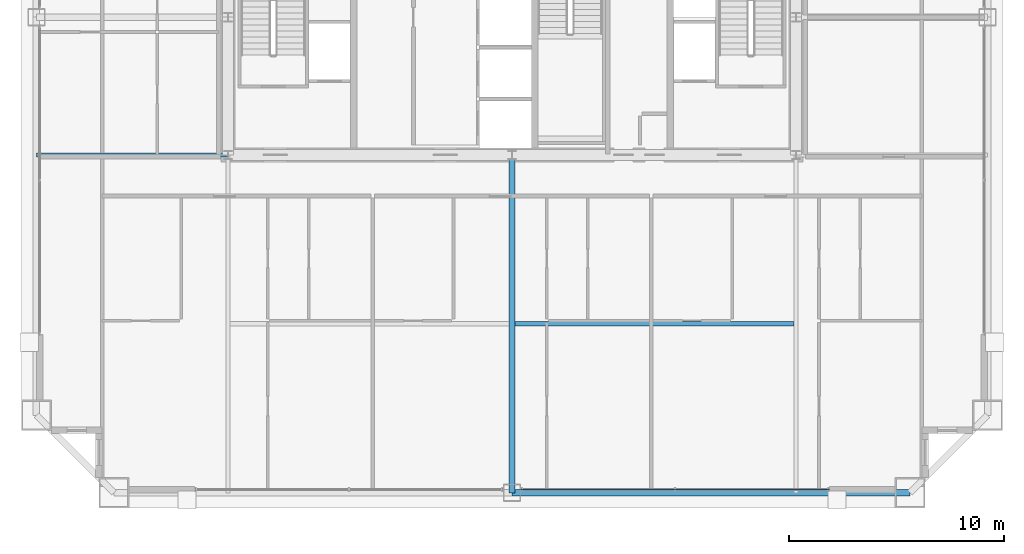
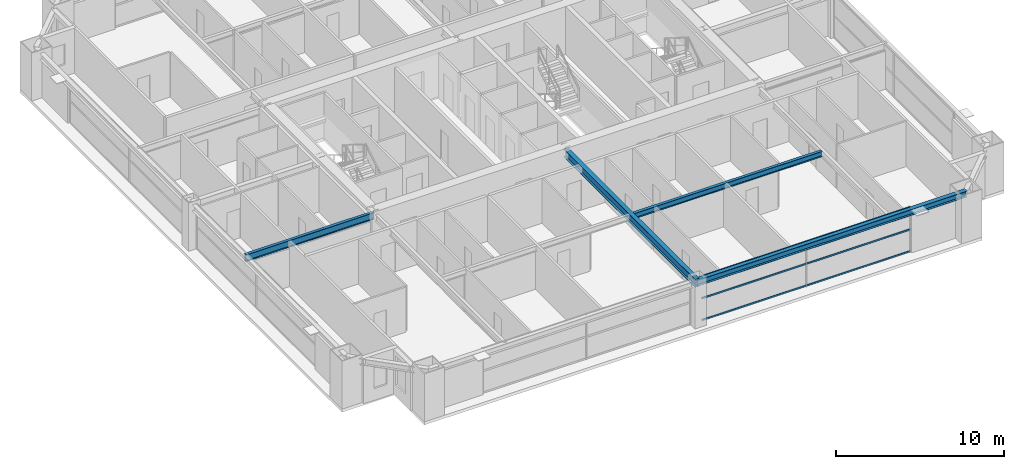
# One storey, part 11 of 38: 4 beams, 3 members, 1 element without a shape of its own.
"""IFC4 building model written with IfcOpenShell, lengths in metres."""

import ifcopenshell
import ifcopenshell.guid

model = None  # the IFC model being written
_history = None  # IfcOwnerHistory: only IFC2X3 demands one
_inside = {}  # id of a spatial element -> (the spatial element, [elements in it])
_under = {}  # id of a project, library or spatial element -> (it, [spatial elements below it])
_declared = {}  # id of a project -> (the project, [libraries it declares])
_typed = {}  # id of a type object -> (the type object, [elements of that type])
_made_of = {}  # id of a material, layer set ... -> (it, [elements and type objects made of it])


def new_model(schema):
    """Start an empty IFC model of exactly this schema.

    Asked for "IFC4X3", IfcOpenShell would pick the latest addendum, in which some entities
    have other attributes; the version numbers below select the first issue.
    IFC2X3 requires an IfcOwnerHistory on every rooted entity: one is made here for all.
    """
    global model, _history
    if schema == "IFC4X3":
        model = ifcopenshell.file(schema_version=(4, 3, 0, 0))
    else:
        model = ifcopenshell.file(schema=schema)
    _inside.clear()
    _under.clear()
    _declared.clear()
    _typed.clear()
    _made_of.clear()
    _history = None
    if model.schema == "IFC2X3":
        org = make("IfcOrganization", Name="unknown")
        user = make(
            "IfcPersonAndOrganization",
            ThePerson=make("IfcPerson", FamilyName="unknown"),
            TheOrganization=org,
        )
        app = make(
            "IfcApplication",
            ApplicationDeveloper=org,
            Version="unknown",
            ApplicationFullName="unknown",
            ApplicationIdentifier="unknown",
        )
        _history = make(
            "IfcOwnerHistory",
            OwningUser=user,
            OwningApplication=app,
            ChangeAction="ADDED",
            CreationDate=0,
        )
    return model


def make(cls, **values):
    """One entity of the class cls with the attributes given. An attribute that is None is left unset."""
    return model.create_entity(
        cls, **{name: value for name, value in values.items() if value is not None}
    )


def rooted(cls, **values):
    """An entity with a GlobalId (a new one), such as an element, a storey or a relation."""
    return make(cls, GlobalId=ifcopenshell.guid.new(), OwnerHistory=_history, **values)


def si_unit(unit_type, name, prefix=None):
    """IfcSIUnit, for example si_unit("LENGTHUNIT", "METRE", prefix="MILLI")."""
    return make("IfcSIUnit", UnitType=unit_type, Prefix=prefix, Name=name)


def assignment(units):
    """IfcUnitAssignment: the units of a project."""
    return None if units is None else make("IfcUnitAssignment", Units=units)


def point(xyz):
    """IfcCartesianPoint."""
    return None if xyz is None else make("IfcCartesianPoint", Coordinates=xyz)


def direction(xyz):
    """IfcDirection."""
    return None if xyz is None else make("IfcDirection", DirectionRatios=xyz)


def frame(location, z_axis=None, x_axis=None):
    """IfcAxis2Placement3D, a coordinate frame: its origin and axes. An axis left out is left unset."""
    return make(
        "IfcAxis2Placement3D",
        Location=point(location),
        Axis=direction(z_axis),
        RefDirection=direction(x_axis),
    )


def frame_2d(location, x_axis=None):
    """IfcAxis2Placement2D, a coordinate frame in the plane: its origin and x axis."""
    return make(
        "IfcAxis2Placement2D", Location=point(location), RefDirection=direction(x_axis)
    )


def origin():
    """The frame at (0, 0, 0) with its axes left unset."""
    return frame((0.0, 0.0, 0.0))


def origin_2d():
    """The frame at (0, 0) in the plane with its x axis left unset."""
    return frame_2d((0.0, 0.0))


def place(relative_to, where):
    """IfcLocalPlacement: puts the frame where relative to a parent placement (None: the world)."""
    return make(
        "IfcLocalPlacement", PlacementRelTo=relative_to, RelativePlacement=where
    )


def context(
    kind, dimensions, precision=None, world=None, true_north=None, identifier=None
):
    """IfcGeometricRepresentationContext, for example the 3D "Model" context."""
    return make(
        "IfcGeometricRepresentationContext",
        ContextIdentifier=identifier,
        ContextType=kind,
        CoordinateSpaceDimension=dimensions,
        Precision=precision,
        WorldCoordinateSystem=world,
        TrueNorth=true_north,
    )


def subcontext(parent, identifier, kind, view, scale=None):
    """IfcGeometricRepresentationSubContext, for example "Body" below "Model"."""
    return make(
        "IfcGeometricRepresentationSubContext",
        ContextIdentifier=identifier,
        ContextType=kind,
        ParentContext=parent,
        TargetScale=scale,
        TargetView=view,
    )


def project(units=None, contexts=None):
    """IfcProject with its units and contexts."""
    return rooted(
        "IfcProject",
        Name="project",
        RepresentationContexts=contexts,
        UnitsInContext=assignment(units),
    )


def spatial(cls, under=None, at=None, **own):
    """A site, building, storey or space (cls), placed at a placement, below another one or the project."""
    s = rooted(cls, ObjectPlacement=at, **own)
    if under is not None:
        _under.setdefault(under.id(), (under, []))[1].append(s)
    return s


def profile(cls, at=None, kind="AREA", **sizes):
    """A parametric profile (cls). Its sizes go by their IFC names, for example OverallWidth=200.0."""
    return make(cls, ProfileType=kind, Position=at, **sizes)


def hollow_rectangle(**sizes):
    """IfcRectangleHollowProfileDef."""
    return profile("IfcRectangleHollowProfileDef", **sizes)


def i_section(**sizes):
    """IfcIShapeProfileDef."""
    return profile("IfcIShapeProfileDef", **sizes)


def extrude(swept, where, along, depth):
    """IfcExtrudedAreaSolid: the profile swept, set in the frame where, extruded along a direction by depth."""
    return make(
        "IfcExtrudedAreaSolid",
        SweptArea=swept,
        Position=where,
        ExtrudedDirection=direction(along),
        Depth=depth,
    )


def shape(context_of_items, identifier, shape_type, items):
    """IfcShapeRepresentation: the items that make up one representation, for example the "Body"."""
    return make(
        "IfcShapeRepresentation",
        ContextOfItems=context_of_items,
        RepresentationIdentifier=identifier,
        RepresentationType=shape_type,
        Items=items,
    )


def source(mapping_origin, context_of_items, identifier, shape_type, items):
    """IfcRepresentationMap: a shape defined once, which mapped items show again and again."""
    return make(
        "IfcRepresentationMap",
        MappingOrigin=mapping_origin,
        MappedRepresentation=shape(context_of_items, identifier, shape_type, items),
    )


def transform(
    local_origin,
    x_axis=None,
    y_axis=None,
    z_axis=None,
    scale=None,
    scale2=None,
    scale3=None,
    uniform=True,
):
    """IfcCartesianTransformationOperator3D, or its non-uniform kind. x_axis, y_axis, z_axis: its Axis1, 2, 3."""
    if uniform:
        return make(
            "IfcCartesianTransformationOperator3D",
            Axis1=direction(x_axis),
            Axis2=direction(y_axis),
            LocalOrigin=point(local_origin),
            Scale=scale,
            Axis3=direction(z_axis),
        )
    return make(
        "IfcCartesianTransformationOperator3DnonUniform",
        Axis1=direction(x_axis),
        Axis2=direction(y_axis),
        LocalOrigin=point(local_origin),
        Scale=scale,
        Axis3=direction(z_axis),
        Scale2=scale2,
        Scale3=scale3,
    )


def mapped(mapping_source, mapping_target):
    """IfcMappedItem: shows the shape of a source again, moved by a transform."""
    return make(
        "IfcMappedItem", MappingSource=mapping_source, MappingTarget=mapping_target
    )


def material(Name=None, Category=None):
    """IfcMaterial."""
    return make("IfcMaterial", Name=Name, Category=Category)


def layer(
    of_material, thickness, ventilated=None, Name=None, Category=None, Priority=None
):
    """IfcMaterialLayer: one layer of a wall or slab, of a material (None: an air gap)."""
    return make(
        "IfcMaterialLayer",
        Material=of_material,
        LayerThickness=thickness,
        IsVentilated=ventilated,
        Name=Name,
        Category=Category,
        Priority=Priority,
    )


def layer_set(layers, Name=None):
    """IfcMaterialLayerSet."""
    return make("IfcMaterialLayerSet", MaterialLayers=layers, LayerSetName=Name)


def material_profile(
    of_material, cross_section, Name=None, Category=None, Priority=None
):
    """IfcMaterialProfile: a cross section and its material."""
    return make(
        "IfcMaterialProfile",
        Name=Name,
        Material=of_material,
        Profile=cross_section,
        Priority=Priority,
        Category=Category,
    )


def profile_set(profiles, Name=None, composite=None):
    """IfcMaterialProfileSet."""
    return make(
        "IfcMaterialProfileSet",
        Name=Name,
        MaterialProfiles=profiles,
        CompositeProfile=composite,
    )


def made_of(thing, what):
    """Note that an element or type object is made of a material, layer set ...; save() writes the relation."""
    if what is not None:
        _made_of.setdefault(what.id(), (what, []))[1].append(thing)
    return thing


def type_object(cls, material=None, **own):
    """A type object (cls), such as IfcWallType, which elements share."""
    return made_of(rooted(cls, **own), material)


def element(
    cls,
    number,
    at=None,
    inside=None,
    cuts=None,
    type_object=None,
    material=None,
    context=None,
    identifier="Body",
    shape_type=None,
    held_by="IfcProductDefinitionShape",
    body=None,
    shapes=None,
    **own,
):
    """One element of the class cls, such as IfcWall. Its Tag is "e" and its number.

    at: its placement. inside: the storey or other place that contains it. cuts: it is an
    opening in that element (IfcRelVoidsElement). A single representation is given by context,
    identifier, shape_type and body (its items); several are given by shapes. held_by: the class
    of the entity that holds the representations. save() writes the other relations.
    """
    e = rooted(cls, Tag="e%d" % number, ObjectPlacement=at, **own)
    if body is not None:
        shapes = [shape(context, identifier, shape_type, body)]
    if shapes is not None:
        e.Representation = make(held_by, Representations=shapes)
    if inside is not None:
        _inside.setdefault(inside.id(), (inside, []))[1].append(e)
    if cuts is not None:
        rooted(
            "IfcRelVoidsElement", RelatingBuildingElement=cuts, RelatedOpeningElement=e
        )
    if type_object is not None:
        _typed.setdefault(type_object.id(), (type_object, []))[1].append(e)
    return made_of(e, material)


def aggregate(whole, parts):
    """IfcRelAggregates: a whole, such as a stair, and the parts it consists of."""
    return rooted("IfcRelAggregates", RelatingObject=whole, RelatedObjects=parts)


def save(model, path):
    """Write the relations noted so far, then the file.

    IfcRelAggregates (storeys below a building ...), IfcRelContainedInSpatialStructure (elements
    in a storey), IfcRelDefinesByType, IfcRelAssociatesMaterial and IfcRelDeclares: one each for
    every whole, place, type object, material and project.
    """
    for whole, parts in _under.values():
        aggregate(whole, parts)
    for where, things in _inside.values():
        rooted(
            "IfcRelContainedInSpatialStructure",
            RelatedElements=things,
            RelatingStructure=where,
        )
    for kind, things in _typed.values():
        rooted("IfcRelDefinesByType", RelatedObjects=things, RelatingType=kind)
    for what, things in _made_of.values():
        rooted("IfcRelAssociatesMaterial", RelatedObjects=things, RelatingMaterial=what)
    for by, libraries in _declared.values():
        rooted("IfcRelDeclares", RelatingContext=by, RelatedDefinitions=libraries)
    model.write(path)


model = new_model("IFC4")

# Units and contexts
model_context = context("Model", 3, precision=1e-05, world=origin(), true_north=direction((0.0, 1.0)))
body_context = subcontext(model_context, "Body", "Model", "MODEL_VIEW")
ifc_project = project(units=[si_unit("LENGTHUNIT", "METRE"), si_unit("AREAUNIT", "SQUARE_METRE"), si_unit("VOLUMEUNIT", "CUBIC_METRE"), si_unit("PLANEANGLEUNIT", "RADIAN"), si_unit("MASSUNIT", "GRAM", prefix="KILO"), si_unit("THERMODYNAMICTEMPERATUREUNIT", "KELVIN"), si_unit("POWERUNIT", "WATT")], contexts=[model_context])

# Site, building, storey
site_placement = place(None, origin())
site = spatial("IfcSite", under=ifc_project, at=site_placement, CompositionType="ELEMENT")
building_placement = place(site_placement, origin())
building = spatial("IfcBuilding", under=site, at=building_placement, Name="Yuzanri Waterfront Tower", CompositionType="ELEMENT")
storey_placement = place(building_placement, frame((0.0, 0.0, 209.0)))
storey = spatial("IfcBuildingStorey", under=building, at=storey_placement, Name="L55", CompositionType="ELEMENT", Elevation=209.0)

# Beams
ifc_material_1 = material(Name="Steel Q355B", Category="steel")
ifc_material_profile_1 = material_profile(ifc_material_1, i_section(OverallWidth=0.199951171875, OverallDepth=0.39990234375, WebThickness=0.008056640625, FlangeThickness=0.012939453125, at=origin_2d()), Name="HN 400x200x8x13")
ifc_profile_set_1 = profile_set([ifc_material_profile_1], Name="Steel Q355B")
beam_type_1 = type_object("IfcBeamType", Name="Floor Joist Q355B HN 400x200", PredefinedType="JOIST", material=ifc_profile_set_1)
shared_shape_1 = source(origin(), body_context, "Body", "SweptSolid", [
    extrude(i_section(OverallWidth=0.199951171875, OverallDepth=0.39990234375, WebThickness=0.008056640625, FlangeThickness=0.012939453125, at=origin_2d()), origin(), (0.0, 0.0, 1.0), 12.9501953125),
])
beam_1_placement = place(storey_placement, frame((37.14990234375, 11.550048828125, 3.080078125), z_axis=(1.0, 0.0, 0.0), x_axis=(0.0, 1.0, 0.0)))
element("IfcBeam", 1, at=beam_1_placement, inside=storey, type_object=beam_type_1, Name="L55 South Bay Joist E", PredefinedType="JOIST", context=body_context, shape_type="MappedRepresentation", body=[
    mapped(shared_shape_1, transform((0.0, 0.0, 0.0), scale=1.0)),
])
ifc_material_2 = material(Name="Steel Q355B", Category="steel")
ifc_material_profile_2 = material_profile(ifc_material_2, i_section(OverallWidth=0.300048828125, OverallDepth=0.43994140625, WebThickness=0.010986328125, FlangeThickness=0.01806640625, at=origin_2d()), Name="HM 440x300x11x18")
ifc_profile_set_2 = profile_set([ifc_material_profile_2], Name="Steel Q355B")
beam_type_2 = type_object("IfcBeamType", Name="Perimeter Spandrel Q355B HM 440x300", PredefinedType="SPANDREL", material=ifc_profile_set_2)
shared_shape_2 = source(origin(), body_context, "Body", "SweptSolid", [
    extrude(i_section(OverallWidth=0.300048828125, OverallDepth=0.43994140625, WebThickness=0.010986328125, FlangeThickness=0.01806640625, at=origin_2d()), origin(), (0.0, 0.0, 1.0), 18.5),
])
beam_2_placement = place(storey_placement, frame((37.0, 3.699951171875, 3.06005859375), z_axis=(1.0, 0.0, 0.0), x_axis=(0.0, 1.0, 0.0)))
element("IfcBeam", 2, at=beam_2_placement, inside=storey, type_object=beam_type_2, Name="L55 Perimeter Spandrel S2-S3", PredefinedType="SPANDREL", context=body_context, shape_type="MappedRepresentation", body=[
    mapped(shared_shape_2, transform((0.0, 0.0, 0.0), scale=1.0)),
])
ifc_material_3 = material(Name="Steel Q355B", Category="steel")
ifc_material_profile_3 = material_profile(ifc_material_3, i_section(OverallWidth=0.300048828125, OverallDepth=0.587890625, WebThickness=0.011962890625, FlangeThickness=0.02001953125, at=origin_2d()), Name="HM 588x300x12x20")
ifc_profile_set_3 = profile_set([ifc_material_profile_3], Name="Steel Q355B")
beam_type_3 = type_object("IfcBeamType", Name="Primary Floor Girder Q355B HM 588x300", PredefinedType="BEAM", material=ifc_profile_set_3)
shared_shape_3 = source(origin(), body_context, "Body", "SweptSolid", [
    extrude(i_section(OverallWidth=0.300048828125, OverallDepth=0.587890625, WebThickness=0.011962890625, FlangeThickness=0.02001953125, at=origin_2d()), origin(), (0.0, 0.0, 1.0), 15.699951171875),
])
beam_3_placement = place(storey_placement, frame((37.0, 19.39990234375, 2.986083984375), z_axis=(0.0, -1.0, 0.0), x_axis=(1.0, 0.0, 0.0)))
element("IfcBeam", 3, at=beam_3_placement, inside=storey, type_object=beam_type_3, Name="L55 South Grid Girder", PredefinedType="BEAM", context=body_context, shape_type="MappedRepresentation", body=[
    mapped(shared_shape_3, transform((0.0, 0.0, 0.0), scale=1.0)),
])
ifc_material_4 = material(Name="Steel Q355B", Category="steel")
ifc_material_profile_4 = material_profile(ifc_material_4, i_section(OverallWidth=0.199951171875, OverallDepth=0.5, WebThickness=0.010009765625, FlangeThickness=0.01611328125, at=origin_2d()), Name="HN 500x200x10x16")
ifc_profile_set_4 = profile_set([ifc_material_profile_4], Name="Steel Q355B")
beam_type_4 = type_object("IfcBeamType", Name="Secondary Floor Beam Q355B HN 500x200", PredefinedType="BEAM", material=ifc_profile_set_4)
shared_shape_4 = source(origin(), body_context, "Body", "SweptSolid", [
    extrude(i_section(OverallWidth=0.199951171875, OverallDepth=0.5, WebThickness=0.010009765625, FlangeThickness=0.01611328125, at=origin_2d()), origin(), (0.0, 0.0, 1.0), 8.900146484375),
])
beam_4_placement = place(storey_placement, frame((23.800048828125, 19.39990234375, 3.030029296875), z_axis=(-1.0, 0.0, 0.0), x_axis=(0.0, -1.0, 0.0)))
element("IfcBeam", 4, at=beam_4_placement, inside=storey, type_object=beam_type_4, Name="L55 West-South Core Line Beam", PredefinedType="BEAM", context=body_context, shape_type="MappedRepresentation", body=[
    mapped(shared_shape_4, transform((0.0, 0.0, 0.0), scale=1.0)),
])

# Curtain wall, members
ifc_material_5 = material(Name="Anodized Architectural Bronze", Category="metal")
ifc_layer = layer(ifc_material_5, 0.159912109375)
ifc_layer_set = layer_set([ifc_layer], Name="Anodized Architectural Bronze")
curtain_wall_type = type_object("IfcCurtainWallType", Name="Anodized Bronze Mid-Rise Residential Acoustic Unitized Curtain Wall 7200", PredefinedType="NOTDEFINED", material=ifc_layer_set)
curtain_wall_placement = place(storey_placement, origin())
curtain_wall = element("IfcCurtainWall", 5, at=curtain_wall_placement, inside=storey, type_object=curtain_wall_type, Name="L55 Curtain Wall CW-L55-SR", PredefinedType="NOTDEFINED")
ifc_material_6 = material(Name="Anodized Architectural Bronze", Category="metal")
ifc_material_profile_5 = material_profile(ifc_material_6, hollow_rectangle(XDim=0.06494140625, YDim=0.1201171875, WallThickness=0.00341796875, at=origin_2d()), Name="CWT 65x120")
ifc_profile_set_5 = profile_set([ifc_material_profile_5], Name="Anodized Architectural Bronze")
member_type = type_object("IfcMemberType", Name="Anodized Bronze Secondary Curtain-Wall Transom 65x120", PredefinedType="USERDEFINED", material=ifc_profile_set_5)
shared_shape_5 = source(origin(), body_context, "Body", "SweptSolid", [
    extrude(hollow_rectangle(XDim=0.06494140625, YDim=0.1201171875, WallThickness=0.00341796875, at=origin_2d()), origin(), (0.0, 0.0, 1.0), 14.35009765625),
])
member_1_placement = place(storey_placement, frame((37.39990234375, 3.85009765625, 0.050048828125), z_axis=(1.0, 0.0, 0.0), x_axis=(0.0, 1.0, 0.0)))
member_1 = element("IfcMember", 6, at=member_1_placement, type_object=member_type, Name="CW-L55-SR Transom 1", ObjectType="TRANSOM", PredefinedType="USERDEFINED", context=body_context, shape_type="MappedRepresentation", body=[
    mapped(shared_shape_5, transform((0.0, 0.0, 0.0), scale=1.0)),
])
member_2_placement = place(storey_placement, frame((37.39990234375, 3.85009765625, 1.639892578125), z_axis=(1.0, 0.0, 0.0), x_axis=(0.0, 1.0, 0.0)))
member_2 = element("IfcMember", 7, at=member_2_placement, type_object=member_type, Name="CW-L55-SR Transom 2", ObjectType="TRANSOM", PredefinedType="USERDEFINED", context=body_context, shape_type="MappedRepresentation", body=[
    mapped(shared_shape_5, transform((0.0, 0.0, 0.0), scale=1.0)),
])
member_3_placement = place(storey_placement, frame((37.39990234375, 3.85009765625, 3.22998046875), z_axis=(1.0, 0.0, 0.0), x_axis=(0.0, 1.0, 0.0)))
member_3 = element("IfcMember", 8, at=member_3_placement, type_object=member_type, Name="CW-L55-SR Transom 3", ObjectType="TRANSOM", PredefinedType="USERDEFINED", context=body_context, shape_type="MappedRepresentation", body=[
    mapped(shared_shape_5, transform((0.0, 0.0, 0.0), scale=1.0)),
])
aggregate(curtain_wall, [member_1, member_2, member_3])

save(model, "model.ifc")
